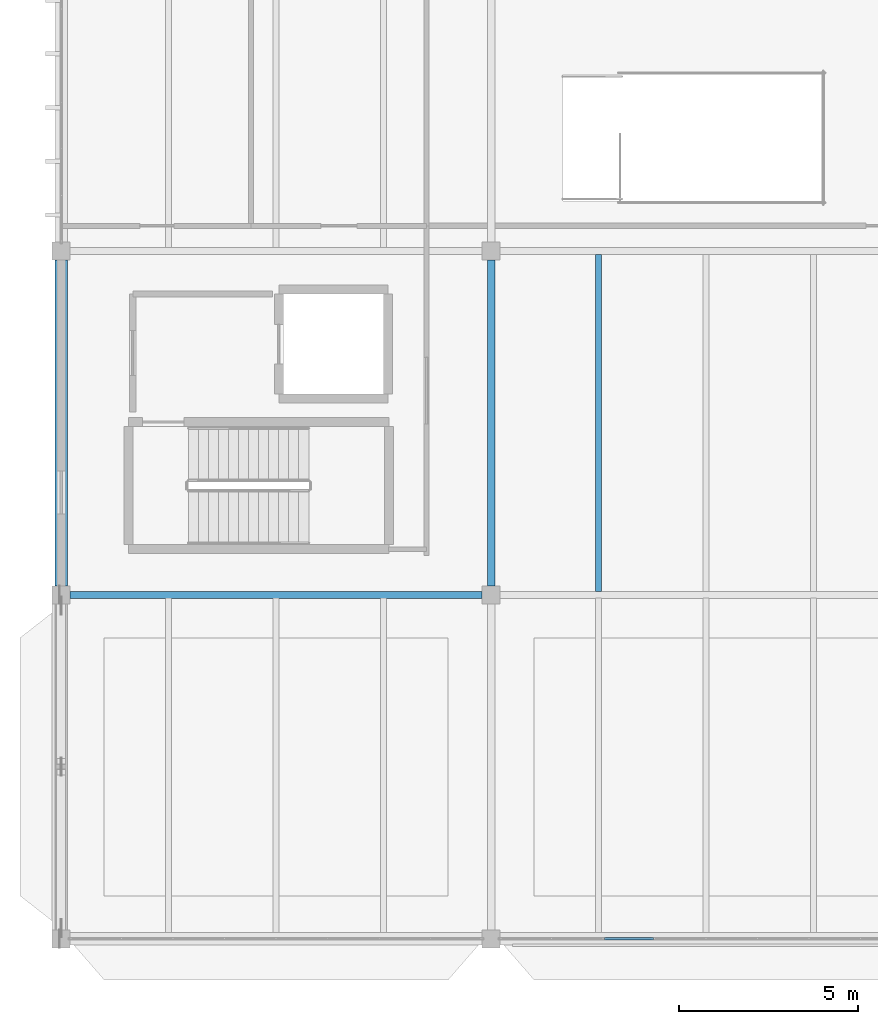
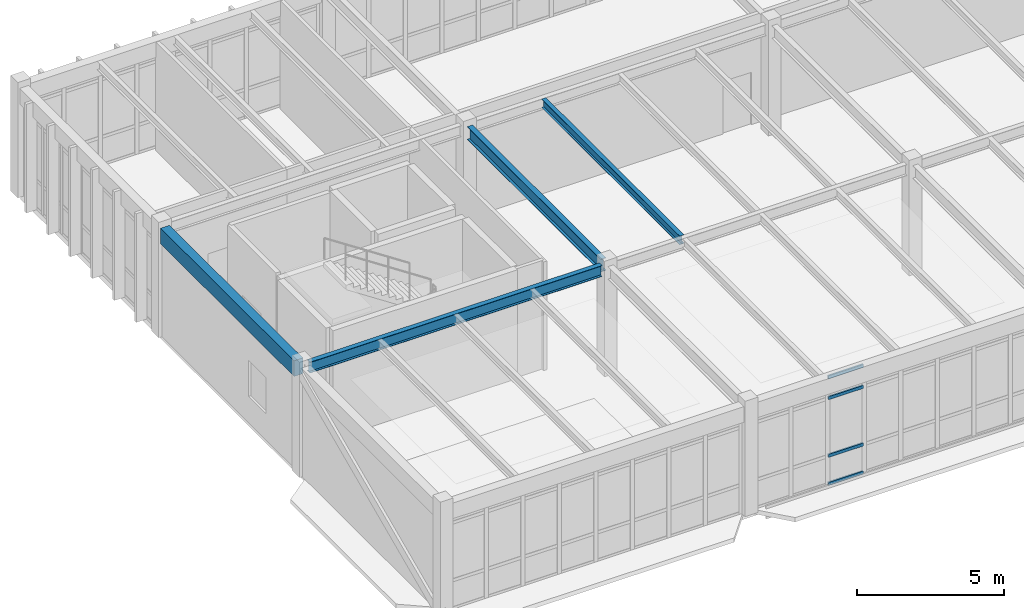
# One storey, part 12 of 236: 4 beams, 4 members, 1 element without a shape of its own.
"""IFC4 building model written with IfcOpenShell, lengths in metres."""

from ifc_helpers import new_model, si_unit, direction, frame, origin, origin_2d, place, context, subcontext, project, spatial, rectangle, hollow_rectangle, i_section, extrude, material, layer, layer_set, material_profile, profile_set, type_object, element, aggregate, save


model = new_model("IFC4")

# Units and contexts
model_context = context("Model", 3, precision=1e-05, world=origin(), true_north=direction((0.0, 1.0)))
body_context = subcontext(model_context, "Body", "Model", "MODEL_VIEW")
ifc_project = project(units=[si_unit("LENGTHUNIT", "METRE"), si_unit("AREAUNIT", "SQUARE_METRE"), si_unit("VOLUMEUNIT", "CUBIC_METRE"), si_unit("PLANEANGLEUNIT", "RADIAN"), si_unit("MASSUNIT", "GRAM", prefix="KILO")], contexts=[model_context])

# Site, building, storey
site_placement = place(None, origin())
site = spatial("IfcSite", under=ifc_project, at=site_placement, CompositionType="ELEMENT")
building_placement = place(site_placement, origin())
building = spatial("IfcBuilding", under=site, at=building_placement, Name="Pandanus Reach Market Hall", CompositionType="ELEMENT")
storey_placement = place(building_placement, frame((0.0, 0.0, 5.39990234375)))
storey = spatial("IfcBuildingStorey", under=building, at=storey_placement, Name="L01", CompositionType="ELEMENT", Elevation=5.39990234375)

# Beams
ifc_material_1 = material(Name="Concrete N40 (40 MPa)", Category="concrete")
ifc_material_profile_1 = material_profile(ifc_material_1, rectangle(XDim=0.35009765625, YDim=0.64990234375, at=origin_2d()), Name="RC350x650", Category="LoadBearing")
ifc_profile_set_1 = profile_set([ifc_material_profile_1], Name="Concrete N40 (40 MPa)")
beam_type_1 = type_object("IfcBeamType", Name="BM-RC350-E", PredefinedType="SPANDREL", material=ifc_profile_set_1)
beam_1_placement = place(storey_placement, frame((0.0, 9.847900390625, 4.210205078125), z_axis=(0.0, 1.0, 0.0), x_axis=(-1.0, 0.0, 0.0)))
element("IfcBeam", 1, at=beam_1_placement, inside=storey, type_object=beam_type_1, Name="Framing beam BM-RC350-E L01.979", PredefinedType="SPANDREL", context=body_context, shape_type="SweptSolid", body=[
    extrude(rectangle(XDim=0.35009765625, YDim=0.64990234375, at=origin_2d()), origin(), (0.0, 0.0, 1.0), 9.10400390625),
])
ifc_material_2 = material(Name="Steel Grade 350 (350 MPa)", Category="steel")
ifc_material_profile_2 = material_profile(ifc_material_2, i_section(OverallWidth=0.18994140625, OverallDepth=0.45703125, WebThickness=0.009033203125, FlangeThickness=0.014404296875, at=origin_2d()), Name="460UB74.6", Category="LoadBearing")
ifc_profile_set_2 = profile_set([ifc_material_profile_2], Name="Steel Grade 350 (350 MPa)")
beam_type_2 = type_object("IfcBeamType", Name="BM-UB460-I", PredefinedType="BEAM", material=ifc_profile_set_2)
beam_2_placement = place(storey_placement, frame((0.248046875, 9.60009765625, 4.30615234375), z_axis=(1.0, 0.0, 0.0), x_axis=(0.0, 1.0, 0.0)))
element("IfcBeam", 2, at=beam_2_placement, inside=storey, type_object=beam_type_2, Name="Framing beam BM-UB460-I L01.969", PredefinedType="BEAM", context=body_context, shape_type="SweptSolid", body=[
    extrude(i_section(OverallWidth=0.18994140625, OverallDepth=0.45703125, WebThickness=0.009033203125, FlangeThickness=0.014404296875, at=origin_2d()), origin(), (0.0, 0.0, 1.0), 11.50390625),
])
ifc_material_profile_3 = material_profile(ifc_material_2, i_section(OverallWidth=0.208984375, OverallDepth=0.532958984375, WebThickness=0.01025390625, FlangeThickness=0.015625, at=origin_2d()), Name="530UB92.4", Category="LoadBearing")
ifc_profile_set_3 = profile_set([ifc_material_profile_3], Name="Steel Grade 350 (350 MPa)")
beam_type_3 = type_object("IfcBeamType", Name="BM-UB530-I", PredefinedType="BEAM", material=ifc_profile_set_3)
beam_3_placement = place(storey_placement, frame((12.0, 9.847900390625, 4.268310546875), z_axis=(0.0, 1.0, 0.0), x_axis=(-1.0, 0.0, 0.0)))
element("IfcBeam", 3, at=beam_3_placement, inside=storey, type_object=beam_type_3, Name="Framing beam BM-UB530-I L01.982", PredefinedType="BEAM", context=body_context, shape_type="SweptSolid", body=[
    extrude(i_section(OverallWidth=0.208984375, OverallDepth=0.532958984375, WebThickness=0.01025390625, FlangeThickness=0.015625, at=origin_2d()), origin(), (0.0, 0.0, 1.0), 9.10400390625),
])

# Curtain wall, members
ifc_material_3 = material(Name="Bronze anodised aluminium and low-E glass", Category="aluminium")
ifc_layer = layer(ifc_material_3, 0.159912109375, Name="CW-15")
ifc_layer_set = layer_set([ifc_layer], Name="Bronze anodised aluminium and low-E glass")
curtain_wall_type = type_object("IfcCurtainWallType", Name="CW-15", PredefinedType="NOTDEFINED", material=ifc_layer_set)
curtain_wall_placement = place(storey_placement, origin())
curtain_wall = element("IfcCurtainWall", 4, at=curtain_wall_placement, inside=storey, type_object=curtain_wall_type, Name="Glazed curtain wall CW-15 CW-0055", PredefinedType="NOTDEFINED")
ifc_material_4 = material(Name="Bronze anodised aluminium", Category="aluminium")
ifc_material_profile_4 = material_profile(ifc_material_4, hollow_rectangle(XDim=0.06494140625, YDim=0.1298828125, WallThickness=0.00390625, at=origin_2d()), Name="ALU65x130", Category="LoadBearing")
ifc_profile_set_4 = profile_set([ifc_material_profile_4], Name="Bronze anodised aluminium")
member_type = type_object("IfcMemberType", Name="CW-T1", PredefinedType="USERDEFINED", material=ifc_profile_set_4)
member_1_placement = place(storey_placement, frame((15.157470703125, 0.0, 0.03271484375), z_axis=(1.0, 0.0, 0.0), x_axis=(0.0, 1.0, 0.0)))
member_1 = element("IfcMember", 5, at=member_1_placement, type_object=member_type, Name="CW-15 transom 3.1", ObjectType="TRANSOM", PredefinedType="USERDEFINED", context=body_context, shape_type="SweptSolid", body=[
    extrude(hollow_rectangle(XDim=0.06494140625, YDim=0.1298828125, WallThickness=0.00390625, at=origin_2d()), origin(), (0.0, 0.0, 1.0), 1.37255859375),
])
member_2_placement = place(storey_placement, frame((15.157470703125, 0.0, 1.2001953125), z_axis=(1.0, 0.0, 0.0), x_axis=(0.0, 1.0, 0.0)))
member_2 = element("IfcMember", 6, at=member_2_placement, type_object=member_type, Name="CW-15 transom 3.2", ObjectType="TRANSOM", PredefinedType="USERDEFINED", context=body_context, shape_type="SweptSolid", body=[
    extrude(hollow_rectangle(XDim=0.06494140625, YDim=0.1298828125, WallThickness=0.00390625, at=origin_2d()), origin(), (0.0, 0.0, 1.0), 1.37255859375),
])
member_3_placement = place(storey_placement, frame((15.157470703125, 0.0, 3.60009765625), z_axis=(1.0, 0.0, 0.0), x_axis=(0.0, 1.0, 0.0)))
member_3 = element("IfcMember", 7, at=member_3_placement, type_object=member_type, Name="CW-15 transom 3.3", ObjectType="TRANSOM", PredefinedType="USERDEFINED", context=body_context, shape_type="SweptSolid", body=[
    extrude(hollow_rectangle(XDim=0.06494140625, YDim=0.1298828125, WallThickness=0.00390625, at=origin_2d()), origin(), (0.0, 0.0, 1.0), 1.37255859375),
])
member_4_placement = place(storey_placement, frame((15.157470703125, 0.0, 4.467529296875), z_axis=(1.0, 0.0, 0.0), x_axis=(0.0, 1.0, 0.0)))
member_4 = element("IfcMember", 8, at=member_4_placement, type_object=member_type, Name="CW-15 transom 3.4", ObjectType="TRANSOM", PredefinedType="USERDEFINED", context=body_context, shape_type="SweptSolid", body=[
    extrude(hollow_rectangle(XDim=0.06494140625, YDim=0.1298828125, WallThickness=0.00390625, at=origin_2d()), origin(), (0.0, 0.0, 1.0), 1.37255859375),
])
aggregate(curtain_wall, [member_1, member_2, member_3, member_4])

# Beam
ifc_material_profile_5 = material_profile(ifc_material_2, i_section(OverallWidth=0.1708984375, OverallDepth=0.35595703125, WebThickness=0.00732421875, FlangeThickness=0.011474609375, at=origin_2d()), Name="360UB50.7", Category="LoadBearing")
ifc_profile_set_5 = profile_set([ifc_material_profile_5], Name="Steel Grade 350 (350 MPa)")
beam_type_4 = type_object("IfcBeamType", Name="JS-UB360-I", PredefinedType="JOIST", material=ifc_profile_set_5)
beam_4_placement = place(storey_placement, frame((15.0, 9.693115234375, 4.356689453125), z_axis=(0.0, 1.0, 0.0), x_axis=(-1.0, 0.0, 0.0)))
element("IfcBeam", 9, at=beam_4_placement, inside=storey, type_object=beam_type_4, Name="Secondary joist JS-UB360-I L01.999", PredefinedType="JOIST", context=body_context, shape_type="SweptSolid", body=[
    extrude(i_section(OverallWidth=0.1708984375, OverallDepth=0.35595703125, WebThickness=0.00732421875, FlangeThickness=0.011474609375, at=origin_2d()), origin(), (0.0, 0.0, 1.0), 9.413818359375),
])

save(model, "model.ifc")
